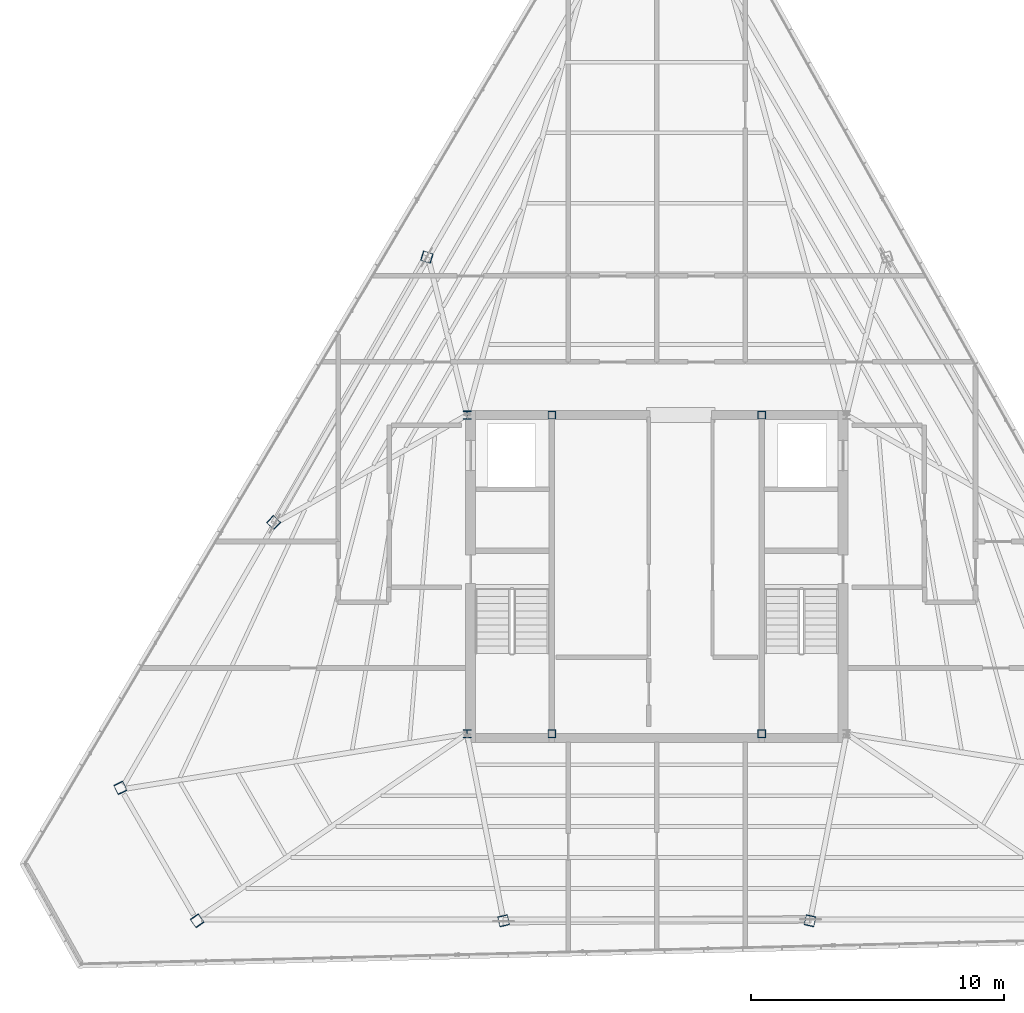
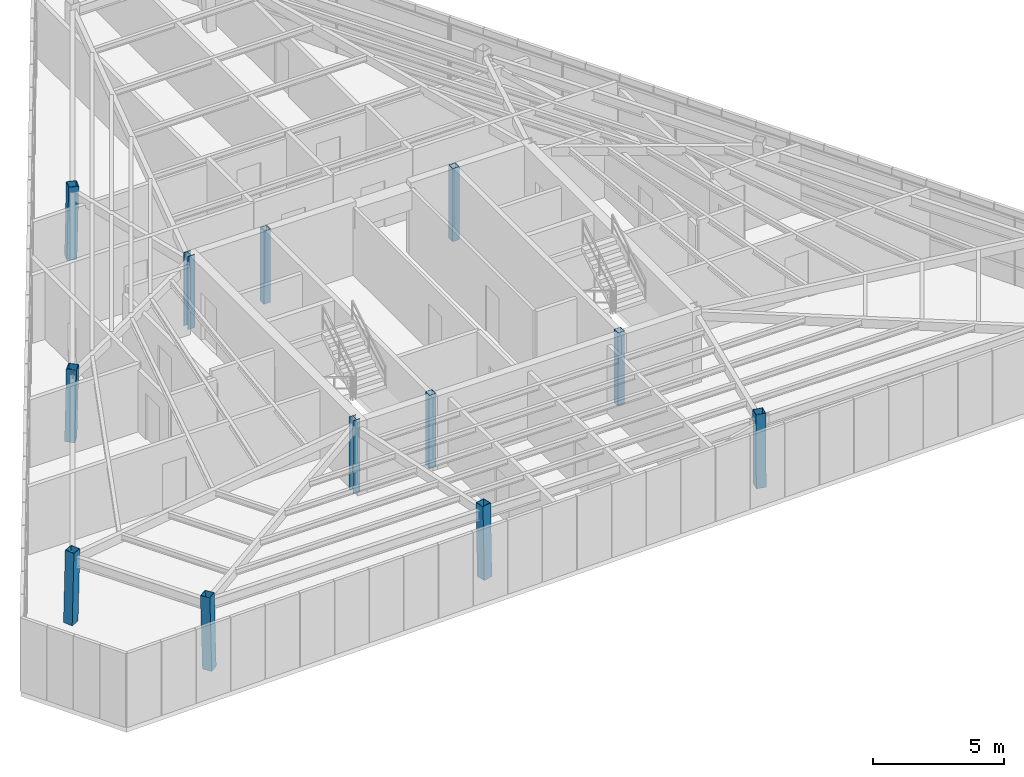
# One storey, part 1 of 44: 12 columns.
"""IFC4 building model written with IfcOpenShell, lengths in metres."""

from ifc_helpers import new_model, si_unit, direction, frame, origin, origin_2d, place, context, subcontext, project, spatial, hollow_rectangle, i_section, extrude, source, transform, mapped, material, material_profile, profile_set, type_object, type_shapes, element, save


model = new_model("IFC4")

# Units and contexts
model_context = context("Model", 3, precision=1e-05, world=origin(), true_north=direction((0.0, 1.0)))
body_context = subcontext(model_context, "Body", "Model", "MODEL_VIEW")
ifc_project = project(units=[si_unit("LENGTHUNIT", "METRE"), si_unit("AREAUNIT", "SQUARE_METRE"), si_unit("VOLUMEUNIT", "CUBIC_METRE"), si_unit("PLANEANGLEUNIT", "RADIAN"), si_unit("MASSUNIT", "GRAM", prefix="KILO")], contexts=[model_context])

# Site, building, storey
site_placement = place(None, origin())
site = spatial("IfcSite", under=ifc_project, at=site_placement, CompositionType="ELEMENT")
building_placement = place(site_placement, origin())
building = spatial("IfcBuilding", under=site, at=building_placement, Name="Caelisora Broadcast Tower", CompositionType="ELEMENT")
storey_placement = place(building_placement, frame((0.0, 0.0, 289.800048828125)))
storey = spatial("IfcBuildingStorey", under=building, at=storey_placement, Name="L76", CompositionType="ELEMENT", Elevation=289.800048828125)

# Columns
ifc_material_1 = material(Name="Steel Grade 350 (AS/NZS 3679.1)", Category="steel")
ifc_material_profile_1 = material_profile(ifc_material_1, i_section(OverallWidth=0.31103515625, OverallDepth=0.3271484375, WebThickness=0.015625, FlangeThickness=0.02490234375, at=origin_2d()), Name="Steel Grade 350 (AS/NZS 3679.1)")
ifc_profile_set_1 = profile_set([ifc_material_profile_1], Name="Steel Grade 350 (AS/NZS 3679.1)")
column_type_1 = type_object("IfcColumnType", Name="CC03", PredefinedType="COLUMN", material=ifc_profile_set_1)
shared_shape_1 = source(origin(), body_context, "Body", "SweptSolid", [
    extrude(i_section(OverallWidth=0.31103515625, OverallDepth=0.3271484375, WebThickness=0.015625, FlangeThickness=0.02490234375, at=origin_2d()), origin(), (0.0, 0.0, 1.0), 3.39990234375),
])
type_shapes(column_type_1, [shared_shape_1])
for number, where, z_axis, x_axis, name in (
    (1, (30.5, 17.39990234375, 0.0), (0.0, 0.0, 1.0), (1.0, 0.0, 0.0), "L76 column CC03"),
    (2, (30.5, 30.0, 0.0), (0.0, 0.0, 1.0), (1.0, 0.0, 0.0), "L76 column CC03"),
):
    element("IfcColumn", number, at=place(storey_placement, frame(where, z_axis=z_axis, x_axis=x_axis)), inside=storey, type_object=column_type_1, Name=name, PredefinedType="COLUMN", context=body_context, shape_type="MappedRepresentation", body=[
        mapped(shared_shape_1, transform((0.0, 0.0, 0.0), scale=1.0)),
    ])
ifc_material_2 = material(Name="Steel Grade 350 (AS/NZS 1163 C350L0)", Category="steel")
ifc_material_profile_2 = material_profile(ifc_material_2, hollow_rectangle(XDim=0.300048828125, YDim=0.300048828125, WallThickness=0.012451171875, at=origin_2d()), Name="Steel Grade 350 (AS/NZS 1163 C350L0)")
ifc_profile_set_2 = profile_set([ifc_material_profile_2], Name="Steel Grade 350 (AS/NZS 1163 C350L0)")
column_type_2 = type_object("IfcColumnType", Name="CC08", PredefinedType="COLUMN", material=ifc_profile_set_2)
shared_shape_2 = source(origin(), body_context, "Body", "SweptSolid", [
    extrude(hollow_rectangle(XDim=0.300048828125, YDim=0.300048828125, WallThickness=0.012451171875, at=origin_2d()), origin(), (0.0, 0.0, 1.0), 3.39990234375),
])
type_shapes(column_type_2, [shared_shape_2])
for number, where, z_axis, x_axis, name in (
    (3, (33.85009765625, 17.39990234375, 0.0), (0.0, 0.0, 1.0), (1.0, 0.0, 0.0), "L76 column CC08"),
    (4, (42.14990234375, 17.39990234375, 0.0), (0.0, 0.0, 1.0), (1.0, 0.0, 0.0), "L76 column CC08"),
    (5, (33.85009765625, 30.0, 0.0), (0.0, 0.0, 1.0), (1.0, 0.0, 0.0), "L76 column CC08"),
    (6, (42.14990234375, 30.0, 0.0), (0.0, 0.0, 1.0), (1.0, 0.0, 0.0), "L76 column CC08"),
):
    element("IfcColumn", number, at=place(storey_placement, frame(where, z_axis=z_axis, x_axis=x_axis)), inside=storey, type_object=column_type_2, Name=name, PredefinedType="COLUMN", context=body_context, shape_type="MappedRepresentation", body=[
        mapped(shared_shape_2, transform((0.0, 0.0, 0.0), scale=1.0)),
    ])
ifc_material_profile_3 = material_profile(ifc_material_2, hollow_rectangle(XDim=0.39990234375, YDim=0.39990234375, WallThickness=0.01611328125, at=origin_2d()), Name="Steel Grade 350 (AS/NZS 1163 C350L0)")
ifc_profile_set_3 = profile_set([ifc_material_profile_3], Name="Steel Grade 350 (AS/NZS 1163 C350L0)")
column_type_3 = type_object("IfcColumnType", Name="MC08", PredefinedType="COLUMN", material=ifc_profile_set_3)
shared_shape_3 = source(origin(), body_context, "Body", "SweptSolid", [
    extrude(hollow_rectangle(XDim=0.39990234375, YDim=0.39990234375, WallThickness=0.01611328125, at=origin_2d()), origin(), (0.0, 0.0, 1.0), 3.40087890625),
])
for number, where, z_axis, x_axis, name in (
    (7, (16.7880859375, 15.27294921875, 0.0), (0.010409199503, -0.021536274834, 0.999713877783), (0.900348952842, 0.43516866054, 0.0), "L76 column MC08"),
    (8, (19.836181640625, 9.993408203125, 0.0), (-0.013424273829, 0.019813366721, 0.999713568664), (-0.827873758877, -0.560914467065, 0.0), "L76 column MC08"),
):
    element("IfcColumn", number, at=place(storey_placement, frame(where, z_axis=z_axis, x_axis=x_axis)), inside=storey, type_object=column_type_3, Name=name, PredefinedType="COLUMN", context=body_context, shape_type="MappedRepresentation", body=[
        mapped(shared_shape_3, transform((0.0, 0.0, 0.0), scale=1.0)),
    ])
shared_shape_4 = source(origin(), body_context, "Body", "SweptSolid", [
    extrude(hollow_rectangle(XDim=0.39990234375, YDim=0.39990234375, WallThickness=0.01611328125, at=origin_2d()), origin(), (0.0, 0.0, 1.0), 3.400634765625),
])
type_shapes(column_type_3, [shared_shape_3, shared_shape_4])
for number, where, z_axis, x_axis, name in (
    (9, (28.897216796875, 36.24658203125, 0.0), (0.019384207584, -0.005958848998, 0.999794351162), (0.293837067669, 0.955855521333, 0.0), "L76 column MC08"),
    (10, (22.8427734375, 25.760009765625, 0.0), (0.01486121398, -0.01385610772, 0.999793554989), (0.681940483138, 0.731407668443, 0.0), "L76 column MC08"),
    (11, (31.9453125, 9.993408203125, 0.0), (-0.004451185758, 0.019814955956, 0.999793755965), (-0.975685404983, -0.219175706917, 0.0), "L76 column MC08"),
    (12, (44.0546875, 9.993408203125, 0.0), (0.004451185758, 0.019814955956, 0.999793755965), (-0.975685404983, 0.219175706917, 0.0), "L76 column MC08"),
):
    element("IfcColumn", number, at=place(storey_placement, frame(where, z_axis=z_axis, x_axis=x_axis)), inside=storey, type_object=column_type_3, Name=name, PredefinedType="COLUMN", context=body_context, shape_type="MappedRepresentation", body=[
        mapped(shared_shape_4, transform((0.0, 0.0, 0.0), scale=1.0)),
    ])

save(model, "model.ifc")
